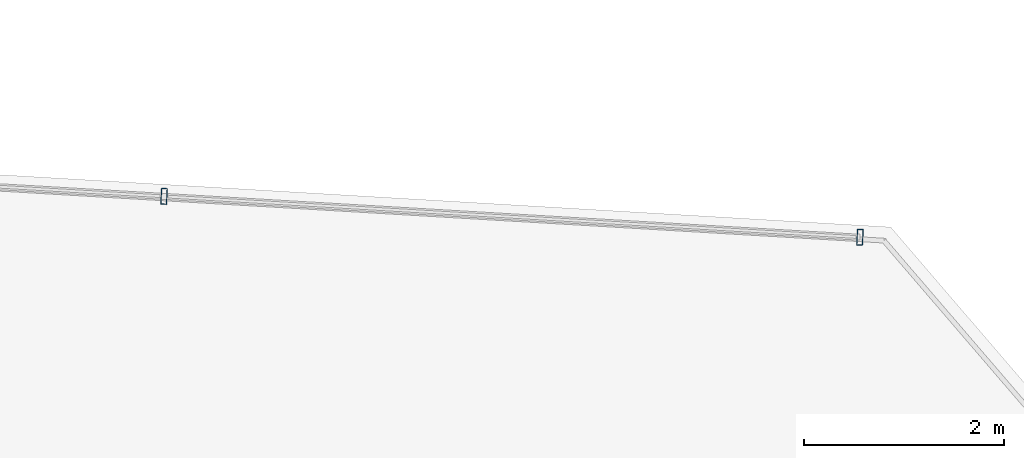
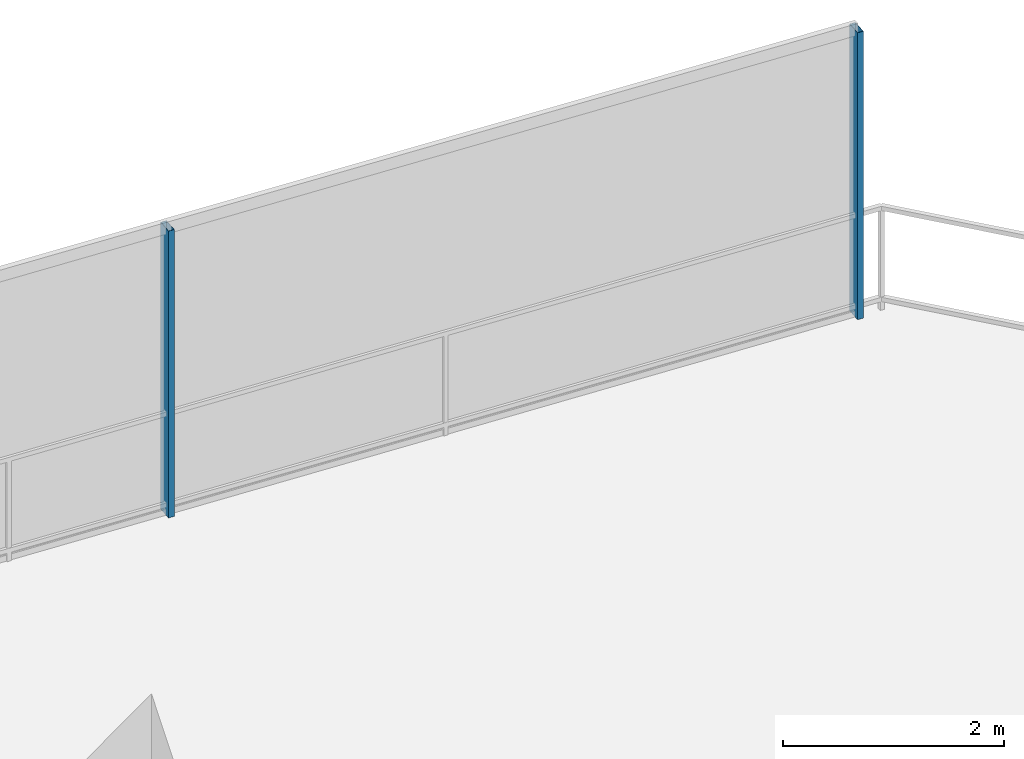
# One storey, part 22 of 28: 2 members, 1 element without a shape of its own.
"""IFC4 building model written with IfcOpenShell, lengths in metres."""

from ifc_helpers import new_model, si_unit, direction, frame, origin, origin_2d, place, context, subcontext, project, spatial, hollow_rectangle, extrude, material, layer, layer_set, material_profile, profile_set, type_object, element, aggregate, save


model = new_model("IFC4")

# Units and contexts
model_context = context("Model", 3, precision=1e-05, world=origin(), true_north=direction((0.0, 1.0)))
body_context = subcontext(model_context, "Body", "Model", "MODEL_VIEW")
ifc_project = project(units=[si_unit("LENGTHUNIT", "METRE"), si_unit("AREAUNIT", "SQUARE_METRE"), si_unit("VOLUMEUNIT", "CUBIC_METRE"), si_unit("PLANEANGLEUNIT", "RADIAN"), si_unit("MASSUNIT", "GRAM", prefix="KILO")], contexts=[model_context])

# Site, building, storey
site_placement = place(None, origin())
site = spatial("IfcSite", under=ifc_project, at=site_placement, CompositionType="ELEMENT")
building_placement = place(site_placement, origin())
building = spatial("IfcBuilding", under=site, at=building_placement, Name="Qarnah Convention Tower", CompositionType="ELEMENT")
storey_placement = place(building_placement, frame((0.0, 0.0, 54.60009765625)))
storey = spatial("IfcBuildingStorey", under=building, at=storey_placement, Name="L13", CompositionType="ELEMENT", Elevation=54.60009765625)

# Curtain wall, members
ifc_material_1 = material(Name="Tempered Low-E dark glass", Category="glass")
ifc_layer = layer(ifc_material_1, 0.16796875)
ifc_layer_set = layer_set([ifc_layer], Name="Tempered Low-E dark glass")
curtain_wall_type = type_object("IfcCurtainWallType", Name="CWS-01", PredefinedType="NOTDEFINED", material=ifc_layer_set)
curtain_wall_placement = place(storey_placement, origin())
curtain_wall = element("IfcCurtainWall", 1, at=curtain_wall_placement, inside=storey, type_object=curtain_wall_type, Name="L13 unitised curtain wall CW-L13-F1", PredefinedType="NOTDEFINED")
ifc_material_2 = material(Name="Black anodised aluminium", Category="aluminium")
ifc_material_profile = material_profile(ifc_material_2, hollow_rectangle(XDim=0.06005859375, YDim=0.159912109375, WallThickness=0.00390625, at=origin_2d()), Name="MUL-60X160")
ifc_profile_set = profile_set([ifc_material_profile], Name="Black anodised aluminium")
member_type = type_object("IfcMemberType", Name="MUL-T1", PredefinedType="MULLION", material=ifc_profile_set)
member_1_placement = place(storey_placement, frame((49.860107421875, 44.10107421875, 0.0), z_axis=(0.0, 0.0, 1.0), x_axis=(0.998280790884, -0.058612819006, 0.0)))
member_1 = element("IfcMember", 2, at=member_1_placement, type_object=member_type, Name="CW-L13-F1 mullion 5", PredefinedType="MULLION", context=body_context, shape_type="SweptSolid", body=[
    extrude(hollow_rectangle(XDim=0.06005859375, YDim=0.159912109375, WallThickness=0.00390625, at=origin_2d()), origin(), (0.0, 0.0, 1.0), 3.169921875),
])
member_2_placement = place(storey_placement, frame((56.825927734375, 43.69189453125, 0.0), z_axis=(0.0, 0.0, 1.0), x_axis=(0.998280790884, -0.058612819006, 0.0)))
member_2 = element("IfcMember", 3, at=member_2_placement, type_object=member_type, Name="CW-L13-F1 mullion 6", PredefinedType="MULLION", context=body_context, shape_type="SweptSolid", body=[
    extrude(hollow_rectangle(XDim=0.06005859375, YDim=0.159912109375, WallThickness=0.00390625, at=origin_2d()), origin(), (0.0, 0.0, 1.0), 3.169921875),
])
aggregate(curtain_wall, [member_1, member_2])

save(model, "model.ifc")
